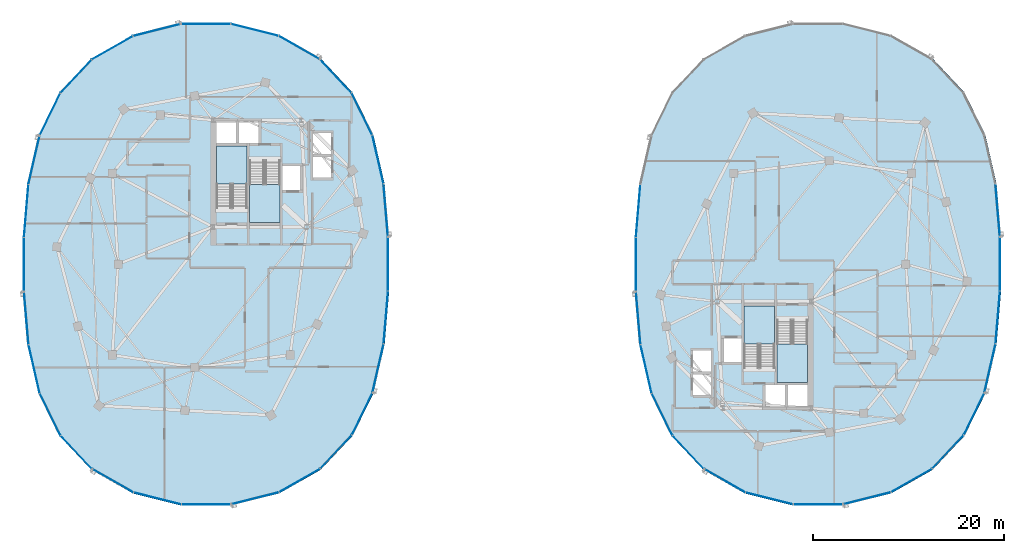
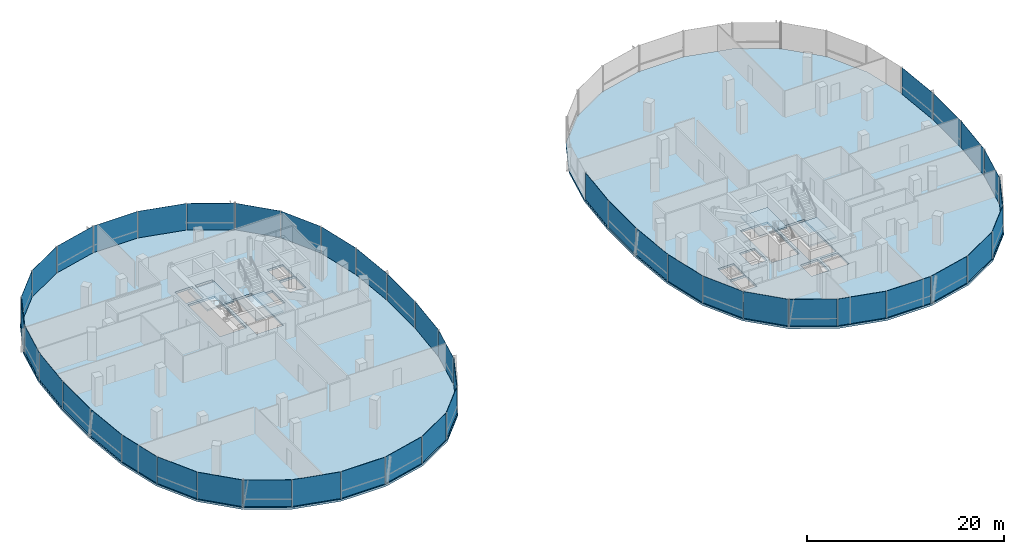
# One storey, part 13 of 25: 45 plates, 6 slabs, 12 elements without a shape of their own.
"""IFC4 building model written with IfcOpenShell, lengths in metres."""

import ifcopenshell
import ifcopenshell.guid

model = None  # the IFC model being written
_history = None  # IfcOwnerHistory: only IFC2X3 demands one
_inside = {}  # id of a spatial element -> (the spatial element, [elements in it])
_under = {}  # id of a project, library or spatial element -> (it, [spatial elements below it])
_declared = {}  # id of a project -> (the project, [libraries it declares])
_typed = {}  # id of a type object -> (the type object, [elements of that type])
_made_of = {}  # id of a material, layer set ... -> (it, [elements and type objects made of it])


def new_model(schema):
    """Start an empty IFC model of exactly this schema.

    Asked for "IFC4X3", IfcOpenShell would pick the latest addendum, in which some entities
    have other attributes; the version numbers below select the first issue.
    IFC2X3 requires an IfcOwnerHistory on every rooted entity: one is made here for all.
    """
    global model, _history
    if schema == "IFC4X3":
        model = ifcopenshell.file(schema_version=(4, 3, 0, 0))
    else:
        model = ifcopenshell.file(schema=schema)
    _inside.clear()
    _under.clear()
    _declared.clear()
    _typed.clear()
    _made_of.clear()
    _history = None
    if model.schema == "IFC2X3":
        org = make("IfcOrganization", Name="unknown")
        user = make(
            "IfcPersonAndOrganization",
            ThePerson=make("IfcPerson", FamilyName="unknown"),
            TheOrganization=org,
        )
        app = make(
            "IfcApplication",
            ApplicationDeveloper=org,
            Version="unknown",
            ApplicationFullName="unknown",
            ApplicationIdentifier="unknown",
        )
        _history = make(
            "IfcOwnerHistory",
            OwningUser=user,
            OwningApplication=app,
            ChangeAction="ADDED",
            CreationDate=0,
        )
    return model


def make(cls, **values):
    """One entity of the class cls with the attributes given. An attribute that is None is left unset."""
    return model.create_entity(
        cls, **{name: value for name, value in values.items() if value is not None}
    )


def rooted(cls, **values):
    """An entity with a GlobalId (a new one), such as an element, a storey or a relation."""
    return make(cls, GlobalId=ifcopenshell.guid.new(), OwnerHistory=_history, **values)


def si_unit(unit_type, name, prefix=None):
    """IfcSIUnit, for example si_unit("LENGTHUNIT", "METRE", prefix="MILLI")."""
    return make("IfcSIUnit", UnitType=unit_type, Prefix=prefix, Name=name)


def assignment(units):
    """IfcUnitAssignment: the units of a project."""
    return None if units is None else make("IfcUnitAssignment", Units=units)


def point(xyz):
    """IfcCartesianPoint."""
    return None if xyz is None else make("IfcCartesianPoint", Coordinates=xyz)


def direction(xyz):
    """IfcDirection."""
    return None if xyz is None else make("IfcDirection", DirectionRatios=xyz)


def frame(location, z_axis=None, x_axis=None):
    """IfcAxis2Placement3D, a coordinate frame: its origin and axes. An axis left out is left unset."""
    return make(
        "IfcAxis2Placement3D",
        Location=point(location),
        Axis=direction(z_axis),
        RefDirection=direction(x_axis),
    )


def frame_2d(location, x_axis=None):
    """IfcAxis2Placement2D, a coordinate frame in the plane: its origin and x axis."""
    return make(
        "IfcAxis2Placement2D", Location=point(location), RefDirection=direction(x_axis)
    )


def origin():
    """The frame at (0, 0, 0) with its axes left unset."""
    return frame((0.0, 0.0, 0.0))


def origin_2d():
    """The frame at (0, 0) in the plane with its x axis left unset."""
    return frame_2d((0.0, 0.0))


def place(relative_to, where):
    """IfcLocalPlacement: puts the frame where relative to a parent placement (None: the world)."""
    return make(
        "IfcLocalPlacement", PlacementRelTo=relative_to, RelativePlacement=where
    )


def context(
    kind, dimensions, precision=None, world=None, true_north=None, identifier=None
):
    """IfcGeometricRepresentationContext, for example the 3D "Model" context."""
    return make(
        "IfcGeometricRepresentationContext",
        ContextIdentifier=identifier,
        ContextType=kind,
        CoordinateSpaceDimension=dimensions,
        Precision=precision,
        WorldCoordinateSystem=world,
        TrueNorth=true_north,
    )


def subcontext(parent, identifier, kind, view, scale=None):
    """IfcGeometricRepresentationSubContext, for example "Body" below "Model"."""
    return make(
        "IfcGeometricRepresentationSubContext",
        ContextIdentifier=identifier,
        ContextType=kind,
        ParentContext=parent,
        TargetScale=scale,
        TargetView=view,
    )


def project(units=None, contexts=None):
    """IfcProject with its units and contexts."""
    return rooted(
        "IfcProject",
        Name="project",
        RepresentationContexts=contexts,
        UnitsInContext=assignment(units),
    )


def spatial(cls, under=None, at=None, **own):
    """A site, building, storey or space (cls), placed at a placement, below another one or the project."""
    s = rooted(cls, ObjectPlacement=at, **own)
    if under is not None:
        _under.setdefault(under.id(), (under, []))[1].append(s)
    return s


def polyline(points):
    """IfcPolyline through the points."""
    return make("IfcPolyline", Points=[point(p) for p in points])


def profile(cls, at=None, kind="AREA", **sizes):
    """A parametric profile (cls). Its sizes go by their IFC names, for example OverallWidth=200.0."""
    return make(cls, ProfileType=kind, Position=at, **sizes)


def rectangle(**sizes):
    """IfcRectangleProfileDef."""
    return profile("IfcRectangleProfileDef", **sizes)


def outline(outer, holes=None, kind="AREA"):
    """IfcArbitraryClosedProfileDef: a profile drawn as a closed curve; with holes, ...WithVoids."""
    if holes is None:
        return make("IfcArbitraryClosedProfileDef", ProfileType=kind, OuterCurve=outer)
    return make(
        "IfcArbitraryProfileDefWithVoids",
        ProfileType=kind,
        OuterCurve=outer,
        InnerCurves=holes,
    )


def extrude(swept, where, along, depth):
    """IfcExtrudedAreaSolid: the profile swept, set in the frame where, extruded along a direction by depth."""
    return make(
        "IfcExtrudedAreaSolid",
        SweptArea=swept,
        Position=where,
        ExtrudedDirection=direction(along),
        Depth=depth,
    )


def shape(context_of_items, identifier, shape_type, items):
    """IfcShapeRepresentation: the items that make up one representation, for example the "Body"."""
    return make(
        "IfcShapeRepresentation",
        ContextOfItems=context_of_items,
        RepresentationIdentifier=identifier,
        RepresentationType=shape_type,
        Items=items,
    )


def material(Name=None, Category=None):
    """IfcMaterial."""
    return make("IfcMaterial", Name=Name, Category=Category)


def layer(
    of_material, thickness, ventilated=None, Name=None, Category=None, Priority=None
):
    """IfcMaterialLayer: one layer of a wall or slab, of a material (None: an air gap)."""
    return make(
        "IfcMaterialLayer",
        Material=of_material,
        LayerThickness=thickness,
        IsVentilated=ventilated,
        Name=Name,
        Category=Category,
        Priority=Priority,
    )


def layer_set(layers, Name=None):
    """IfcMaterialLayerSet."""
    return make("IfcMaterialLayerSet", MaterialLayers=layers, LayerSetName=Name)


def made_of(thing, what):
    """Note that an element or type object is made of a material, layer set ...; save() writes the relation."""
    if what is not None:
        _made_of.setdefault(what.id(), (what, []))[1].append(thing)
    return thing


def type_object(cls, material=None, **own):
    """A type object (cls), such as IfcWallType, which elements share."""
    return made_of(rooted(cls, **own), material)


def element(
    cls,
    number,
    at=None,
    inside=None,
    cuts=None,
    type_object=None,
    material=None,
    context=None,
    identifier="Body",
    shape_type=None,
    held_by="IfcProductDefinitionShape",
    body=None,
    shapes=None,
    **own,
):
    """One element of the class cls, such as IfcWall. Its Tag is "e" and its number.

    at: its placement. inside: the storey or other place that contains it. cuts: it is an
    opening in that element (IfcRelVoidsElement). A single representation is given by context,
    identifier, shape_type and body (its items); several are given by shapes. held_by: the class
    of the entity that holds the representations. save() writes the other relations.
    """
    e = rooted(cls, Tag="e%d" % number, ObjectPlacement=at, **own)
    if body is not None:
        shapes = [shape(context, identifier, shape_type, body)]
    if shapes is not None:
        e.Representation = make(held_by, Representations=shapes)
    if inside is not None:
        _inside.setdefault(inside.id(), (inside, []))[1].append(e)
    if cuts is not None:
        rooted(
            "IfcRelVoidsElement", RelatingBuildingElement=cuts, RelatedOpeningElement=e
        )
    if type_object is not None:
        _typed.setdefault(type_object.id(), (type_object, []))[1].append(e)
    return made_of(e, material)


def aggregate(whole, parts):
    """IfcRelAggregates: a whole, such as a stair, and the parts it consists of."""
    return rooted("IfcRelAggregates", RelatingObject=whole, RelatedObjects=parts)


def save(model, path):
    """Write the relations noted so far, then the file.

    IfcRelAggregates (storeys below a building ...), IfcRelContainedInSpatialStructure (elements
    in a storey), IfcRelDefinesByType, IfcRelAssociatesMaterial and IfcRelDeclares: one each for
    every whole, place, type object, material and project.
    """
    for whole, parts in _under.values():
        aggregate(whole, parts)
    for where, things in _inside.values():
        rooted(
            "IfcRelContainedInSpatialStructure",
            RelatedElements=things,
            RelatingStructure=where,
        )
    for kind, things in _typed.values():
        rooted("IfcRelDefinesByType", RelatedObjects=things, RelatingType=kind)
    for what, things in _made_of.values():
        rooted("IfcRelAssociatesMaterial", RelatedObjects=things, RelatingMaterial=what)
    for by, libraries in _declared.values():
        rooted("IfcRelDeclares", RelatingContext=by, RelatedDefinitions=libraries)
    model.write(path)


model = new_model("IFC4")

# Units and contexts
model_context = context("Model", 3, precision=1e-05, world=origin(), true_north=direction((0.0, 1.0)))
body_context = subcontext(model_context, "Body", "Model", "MODEL_VIEW")
ifc_project = project(units=[si_unit("LENGTHUNIT", "METRE"), si_unit("AREAUNIT", "SQUARE_METRE"), si_unit("VOLUMEUNIT", "CUBIC_METRE"), si_unit("PLANEANGLEUNIT", "RADIAN"), si_unit("MASSUNIT", "GRAM", prefix="KILO"), si_unit("THERMODYNAMICTEMPERATUREUNIT", "KELVIN"), si_unit("POWERUNIT", "WATT")], contexts=[model_context])

# Site, building, storey
site_placement = place(None, origin())
site = spatial("IfcSite", under=ifc_project, at=site_placement, CompositionType="ELEMENT")
building_placement = place(site_placement, origin())
building = spatial("IfcBuilding", under=site, at=building_placement, Name="Cundina Bronze Exchange", CompositionType="ELEMENT")
storey_placement = place(building_placement, frame((0.0, 0.0, 213.39990234375)))
storey = spatial("IfcBuildingStorey", under=building, at=storey_placement, Name="L56", CompositionType="ELEMENT", Elevation=213.39990234375)

# Curtain wall, plates
ifc_material_1 = material(Name="Anodised Bronze Aluminium 6063-T6", Category="aluminium")
curtain_wall_type = type_object("IfcCurtainWallType", Name="CWS-UPP-OFF", PredefinedType="NOTDEFINED", material=ifc_material_1)
curtain_wall_1_placement = place(storey_placement, origin())
curtain_wall_1 = element("IfcCurtainWall", 1, at=curtain_wall_1_placement, inside=storey, type_object=curtain_wall_type, Name="L56 CW-05 Curtain Wall Run CWR-L56-W1", PredefinedType="NOTDEFINED")
ifc_material_2 = material(Name="Heat-Strengthened Solar-Control Bronze Safety Glass 28mm", Category="glass")
ifc_layer_1 = layer(ifc_material_2, 0.028076171875, Name="Heat-Strengthened Solar-Control Bronze Safety Glass 28mm", Category="glass")
ifc_layer_set_1 = layer_set([ifc_layer_1], Name="Heat-Strengthened Solar-Control Bronze Safety Glass 28mm")
plate_type_1 = type_object("IfcPlateType", Name="PLT-GLZ-VIS28", PredefinedType="CURTAIN_PANEL", material=ifc_layer_set_1)
plate_1_placement = place(storey_placement, frame((-13.198486328125, 5.60693359375, 0.02001953125), z_axis=(0.0, 0.0, 1.0), x_axis=(-0.083747411454, 0.996487015006, 0.0)))
plate_1 = element("IfcPlate", 2, at=plate_1_placement, type_object=plate_type_1, Name="CW-05 Glazed Panel 1", PredefinedType="CURTAIN_PANEL", context=body_context, shape_type="SweptSolid", body=[
    extrude(rectangle(XDim=5.474609375, YDim=0.028076171875, at=origin_2d()), origin(), (0.0, 0.0, 1.0), 3.300048828125),
])
plate_2_placement = place(storey_placement, frame((-14.01611328125, 10.92578125, 0.02001953125), z_axis=(0.0, 0.0, 1.0), x_axis=(-0.223284141459, 0.974753400698, 0.0)))
plate_2 = element("IfcPlate", 3, at=plate_2_placement, type_object=plate_type_1, Name="CW-05 Glazed Panel 2", PredefinedType="CURTAIN_PANEL", context=body_context, shape_type="SweptSolid", body=[
    extrude(rectangle(XDim=5.167724609375, YDim=0.028076171875, at=origin_2d()), origin(), (0.0, 0.0, 1.0), 3.300048828125),
])
plate_3_placement = place(storey_placement, frame((-15.685302734375, 15.686767578125, 0.02001953125), z_axis=(0.0, 0.0, 1.0), x_axis=(-0.440503330345, 0.897750976582, 0.0)))
plate_3 = element("IfcPlate", 4, at=plate_3_placement, type_object=plate_type_1, Name="CW-05 Glazed Panel 3", PredefinedType="CURTAIN_PANEL", context=body_context, shape_type="SweptSolid", body=[
    extrude(rectangle(XDim=4.863525390625, YDim=0.028076171875, at=origin_2d()), origin(), (0.0, 0.0, 1.0), 3.300048828125),
])
plate_4_placement = place(storey_placement, frame((-22.230712890625, 22.64111328125, 0.02001953125), z_axis=(0.0, 0.0, 1.0), x_axis=(-0.869572506985, 0.493805280547, 0.0)))
plate_4 = element("IfcPlate", 5, at=plate_4_placement, type_object=plate_type_1, Name="CW-05 Glazed Panel 5", PredefinedType="CURTAIN_PANEL", context=body_context, shape_type="SweptSolid", body=[
    extrude(rectangle(XDim=4.907958984375, YDim=0.028076171875, at=origin_2d()), origin(), (0.0, 0.0, 1.0), 3.300048828125),
])
plate_5_placement = place(storey_placement, frame((-26.88720703125, 24.49609375, 0.02001953125), z_axis=(0.0, 0.0, 1.0), x_axis=(-0.969731542251, 0.244173577528, 0.0)))
plate_5 = element("IfcPlate", 6, at=plate_5_placement, type_object=plate_type_1, Name="CW-05 Glazed Panel 6", PredefinedType="CURTAIN_PANEL", context=body_context, shape_type="SweptSolid", body=[
    extrude(rectangle(XDim=5.0908203125, YDim=0.028076171875, at=origin_2d()), origin(), (0.0, 0.0, 1.0), 3.300048828125),
])
plate_6_placement = place(storey_placement, frame((-32.0, 25.125, 0.02001953125), z_axis=(0.0, 0.0, 1.0), x_axis=(-1.0, 0.0, 0.0)))
plate_6 = element("IfcPlate", 7, at=plate_6_placement, type_object=plate_type_1, Name="CW-05 Glazed Panel 7", PredefinedType="CURTAIN_PANEL", context=body_context, shape_type="SweptSolid", body=[
    extrude(rectangle(XDim=5.16796875, YDim=0.028076171875, at=origin_2d()), origin(), (0.0, 0.0, 1.0), 3.300048828125),
])

curtain_wall_2_placement = place(storey_placement, origin())
curtain_wall_2 = element("IfcCurtainWall", 8, at=curtain_wall_2_placement, inside=storey, type_object=curtain_wall_type, Name="L56 CW-05 Curtain Wall Run CWR-L56-W2", PredefinedType="NOTDEFINED")
plate_7_placement = place(storey_placement, frame((-37.11279296875, 24.49609375, 0.02001953125), z_axis=(0.0, 0.0, 1.0), x_axis=(-0.969731542251, -0.244173577528, 0.0)))
plate_7 = element("IfcPlate", 9, at=plate_7_placement, type_object=plate_type_1, Name="CW-05 Glazed Panel 1", PredefinedType="CURTAIN_PANEL", context=body_context, shape_type="SweptSolid", body=[
    extrude(rectangle(XDim=5.0908203125, YDim=0.028076171875, at=origin_2d()), origin(), (0.0, 0.0, 1.0), 3.300048828125),
])
plate_8_placement = place(storey_placement, frame((-41.769287109375, 22.64111328125, 0.02001953125), z_axis=(0.0, 0.0, 1.0), x_axis=(-0.869572506985, -0.493805280547, 0.0)))
plate_8 = element("IfcPlate", 10, at=plate_8_placement, type_object=plate_type_1, Name="CW-05 Glazed Panel 2", PredefinedType="CURTAIN_PANEL", context=body_context, shape_type="SweptSolid", body=[
    extrude(rectangle(XDim=4.907958984375, YDim=0.028076171875, at=origin_2d()), origin(), (0.0, 0.0, 1.0), 3.300048828125),
])
plate_9_placement = place(storey_placement, frame((-48.314697265625, 15.686767578125, 0.02001953125), z_axis=(0.0, 0.0, 1.0), x_axis=(-0.440503330345, -0.897750976582, 0.0)))
plate_9 = element("IfcPlate", 11, at=plate_9_placement, type_object=plate_type_1, Name="CW-05 Glazed Panel 4", PredefinedType="CURTAIN_PANEL", context=body_context, shape_type="SweptSolid", body=[
    extrude(rectangle(XDim=4.863525390625, YDim=0.028076171875, at=origin_2d()), origin(), (0.0, 0.0, 1.0), 3.300048828125),
])
plate_10_placement = place(storey_placement, frame((-49.98388671875, 10.92578125, 0.02001953125), z_axis=(0.0, 0.0, 1.0), x_axis=(-0.223284141459, -0.974753400698, 0.0)))
plate_10 = element("IfcPlate", 12, at=plate_10_placement, type_object=plate_type_1, Name="CW-05 Glazed Panel 5", PredefinedType="CURTAIN_PANEL", context=body_context, shape_type="SweptSolid", body=[
    extrude(rectangle(XDim=5.167724609375, YDim=0.028076171875, at=origin_2d()), origin(), (0.0, 0.0, 1.0), 3.300048828125),
])
plate_11_placement = place(storey_placement, frame((-50.801513671875, 5.60693359375, 0.02001953125), z_axis=(0.0, 0.0, 1.0), x_axis=(-0.083747411454, -0.996487015006, 0.0)))
plate_11 = element("IfcPlate", 13, at=plate_11_placement, type_object=plate_type_1, Name="CW-05 Glazed Panel 6", PredefinedType="CURTAIN_PANEL", context=body_context, shape_type="SweptSolid", body=[
    extrude(rectangle(XDim=5.474609375, YDim=0.028076171875, at=origin_2d()), origin(), (0.0, 0.0, 1.0), 3.300048828125),
])
plate_12_placement = place(storey_placement, frame((-51.033935546875, 0.0, 0.02001953125), z_axis=(0.0, 0.0, 1.0), x_axis=(0.0, -1.0, 0.0)))
plate_12 = element("IfcPlate", 14, at=plate_12_placement, type_object=plate_type_1, Name="CW-05 Glazed Panel 7", PredefinedType="CURTAIN_PANEL", context=body_context, shape_type="SweptSolid", body=[
    extrude(rectangle(XDim=5.597900390625, YDim=0.028076171875, at=origin_2d()), origin(), (0.0, 0.0, 1.0), 3.300048828125),
])

curtain_wall_3_placement = place(storey_placement, origin())
curtain_wall_3 = element("IfcCurtainWall", 15, at=curtain_wall_3_placement, inside=storey, type_object=curtain_wall_type, Name="L56 CW-05 Curtain Wall Run CWR-L56-W3", PredefinedType="NOTDEFINED")
plate_13_placement = place(storey_placement, frame((-50.801513671875, -5.60693359375, 0.02001953125), z_axis=(0.0, 0.0, 1.0), x_axis=(0.083747411454, -0.996487015006, 0.0)))
plate_13 = element("IfcPlate", 16, at=plate_13_placement, type_object=plate_type_1, Name="CW-05 Glazed Panel 1", PredefinedType="CURTAIN_PANEL", context=body_context, shape_type="SweptSolid", body=[
    extrude(rectangle(XDim=5.474609375, YDim=0.028076171875, at=origin_2d()), origin(), (0.0, 0.0, 1.0), 3.300048828125),
])
plate_14_placement = place(storey_placement, frame((-48.314697265625, -15.686767578125, 0.02001953125), z_axis=(0.0, 0.0, 1.0), x_axis=(0.440503330345, -0.897750976582, 0.0)))
plate_14 = element("IfcPlate", 17, at=plate_14_placement, type_object=plate_type_1, Name="CW-05 Glazed Panel 3", PredefinedType="CURTAIN_PANEL", context=body_context, shape_type="SweptSolid", body=[
    extrude(rectangle(XDim=4.863525390625, YDim=0.028076171875, at=origin_2d()), origin(), (0.0, 0.0, 1.0), 3.300048828125),
])
plate_15_placement = place(storey_placement, frame((-45.5791015625, -19.6552734375, 0.02001953125), z_axis=(0.0, 0.0, 1.0), x_axis=(0.684343512797, -0.72915976061, 0.0)))
plate_15 = element("IfcPlate", 18, at=plate_15_placement, type_object=plate_type_1, Name="CW-05 Glazed Panel 4", PredefinedType="CURTAIN_PANEL", context=body_context, shape_type="SweptSolid", body=[
    extrude(rectangle(XDim=4.773193359375, YDim=0.028076171875, at=origin_2d()), origin(), (0.0, 0.0, 1.0), 3.300048828125),
])
plate_16_placement = place(storey_placement, frame((-41.769287109375, -22.64111328125, 0.02001953125), z_axis=(0.0, 0.0, 1.0), x_axis=(0.869572506985, -0.493805280547, 0.0)))
plate_16 = element("IfcPlate", 19, at=plate_16_placement, type_object=plate_type_1, Name="CW-05 Glazed Panel 5", PredefinedType="CURTAIN_PANEL", context=body_context, shape_type="SweptSolid", body=[
    extrude(rectangle(XDim=4.907958984375, YDim=0.028076171875, at=origin_2d()), origin(), (0.0, 0.0, 1.0), 3.300048828125),
])
plate_17_placement = place(storey_placement, frame((-37.11279296875, -24.49609375, 0.02001953125), z_axis=(0.0, 0.0, 1.0), x_axis=(0.969731542251, -0.244173577528, 0.0)))
plate_17 = element("IfcPlate", 20, at=plate_17_placement, type_object=plate_type_1, Name="CW-05 Glazed Panel 6", PredefinedType="CURTAIN_PANEL", context=body_context, shape_type="SweptSolid", body=[
    extrude(rectangle(XDim=5.0908203125, YDim=0.028076171875, at=origin_2d()), origin(), (0.0, 0.0, 1.0), 3.300048828125),
])

curtain_wall_4_placement = place(storey_placement, origin())
curtain_wall_4 = element("IfcCurtainWall", 21, at=curtain_wall_4_placement, inside=storey, type_object=curtain_wall_type, Name="L56 CW-05 Curtain Wall Run CWR-L56-W4", PredefinedType="NOTDEFINED")
plate_18_placement = place(storey_placement, frame((-22.230712890625, -22.64111328125, 0.02001953125), z_axis=(0.0, 0.0, 1.0), x_axis=(0.869572506985, 0.493805280547, 0.0)))
plate_18 = element("IfcPlate", 22, at=plate_18_placement, type_object=plate_type_1, Name="CW-05 Glazed Panel 2", PredefinedType="CURTAIN_PANEL", context=body_context, shape_type="SweptSolid", body=[
    extrude(rectangle(XDim=4.907958984375, YDim=0.028076171875, at=origin_2d()), origin(), (0.0, 0.0, 1.0), 3.300048828125),
])
plate_19_placement = place(storey_placement, frame((-18.4208984375, -19.6552734375, 0.02001953125), z_axis=(0.0, 0.0, 1.0), x_axis=(0.684343512797, 0.72915976061, 0.0)))
plate_19 = element("IfcPlate", 23, at=plate_19_placement, type_object=plate_type_1, Name="CW-05 Glazed Panel 3", PredefinedType="CURTAIN_PANEL", context=body_context, shape_type="SweptSolid", body=[
    extrude(rectangle(XDim=4.773193359375, YDim=0.028076171875, at=origin_2d()), origin(), (0.0, 0.0, 1.0), 3.300048828125),
])
plate_20_placement = place(storey_placement, frame((-15.685302734375, -15.686767578125, 0.02001953125), z_axis=(0.0, 0.0, 1.0), x_axis=(0.440503330345, 0.897750976582, 0.0)))
plate_20 = element("IfcPlate", 24, at=plate_20_placement, type_object=plate_type_1, Name="CW-05 Glazed Panel 4", PredefinedType="CURTAIN_PANEL", context=body_context, shape_type="SweptSolid", body=[
    extrude(rectangle(XDim=4.863525390625, YDim=0.028076171875, at=origin_2d()), origin(), (0.0, 0.0, 1.0), 3.300048828125),
])
plate_21_placement = place(storey_placement, frame((-14.01611328125, -10.92578125, 0.02001953125), z_axis=(0.0, 0.0, 1.0), x_axis=(0.223284141459, 0.974753400698, 0.0)))
plate_21 = element("IfcPlate", 25, at=plate_21_placement, type_object=plate_type_1, Name="CW-05 Glazed Panel 5", PredefinedType="CURTAIN_PANEL", context=body_context, shape_type="SweptSolid", body=[
    extrude(rectangle(XDim=5.167724609375, YDim=0.028076171875, at=origin_2d()), origin(), (0.0, 0.0, 1.0), 3.300048828125),
])
plate_22_placement = place(storey_placement, frame((-12.966064453125, 0.0, 0.02001953125), z_axis=(0.0, 0.0, 1.0), x_axis=(0.0, 1.0, 0.0)))
plate_22 = element("IfcPlate", 26, at=plate_22_placement, type_object=plate_type_1, Name="CW-05 Glazed Panel 7", PredefinedType="CURTAIN_PANEL", context=body_context, shape_type="SweptSolid", body=[
    extrude(rectangle(XDim=5.597900390625, YDim=0.028076171875, at=origin_2d()), origin(), (0.0, 0.0, 1.0), 3.300048828125),
])

# Curtain wall, plate
curtain_wall_5_placement = place(storey_placement, origin())
curtain_wall_5 = element("IfcCurtainWall", 27, at=curtain_wall_5_placement, inside=storey, type_object=curtain_wall_type, Name="L56 CW-05 Curtain Wall Run CWR-L56-E1", PredefinedType="NOTDEFINED")
plate_23_placement = place(storey_placement, frame((50.801513671875, 5.60693359375, 0.02001953125), z_axis=(0.0, 0.0, 1.0), x_axis=(-0.083747411454, 0.996487015006, 0.0)))
plate_23 = element("IfcPlate", 28, at=plate_23_placement, type_object=plate_type_1, Name="CW-05 Glazed Panel 1", PredefinedType="CURTAIN_PANEL", context=body_context, shape_type="SweptSolid", body=[
    extrude(rectangle(XDim=5.474609375, YDim=0.028076171875, at=origin_2d()), origin(), (0.0, 0.0, 1.0), 3.300048828125),
])
aggregate(curtain_wall_5, [plate_23])

# Curtain wall, plates
curtain_wall_6_placement = place(storey_placement, origin())
curtain_wall_6 = element("IfcCurtainWall", 29, at=curtain_wall_6_placement, inside=storey, type_object=curtain_wall_type, Name="L56 CW-05 Curtain Wall Run CWR-L56-E2", PredefinedType="NOTDEFINED")
plate_24_placement = place(storey_placement, frame((13.198486328125, 5.60693359375, 0.02001953125), z_axis=(0.0, 0.0, 1.0), x_axis=(-0.083747411454, -0.996487015006, 0.0)))
plate_24 = element("IfcPlate", 30, at=plate_24_placement, type_object=plate_type_1, Name="CW-05 Glazed Panel 6", PredefinedType="CURTAIN_PANEL", context=body_context, shape_type="SweptSolid", body=[
    extrude(rectangle(XDim=5.474609375, YDim=0.028076171875, at=origin_2d()), origin(), (0.0, 0.0, 1.0), 3.300048828125),
])
plate_25_placement = place(storey_placement, frame((12.966064453125, 0.0, 0.02001953125), z_axis=(0.0, 0.0, 1.0), x_axis=(0.0, -1.0, 0.0)))
plate_25 = element("IfcPlate", 31, at=plate_25_placement, type_object=plate_type_1, Name="CW-05 Glazed Panel 7", PredefinedType="CURTAIN_PANEL", context=body_context, shape_type="SweptSolid", body=[
    extrude(rectangle(XDim=5.597900390625, YDim=0.028076171875, at=origin_2d()), origin(), (0.0, 0.0, 1.0), 3.300048828125),
])
aggregate(curtain_wall_6, [plate_24, plate_25])

curtain_wall_7_placement = place(storey_placement, origin())
curtain_wall_7 = element("IfcCurtainWall", 32, at=curtain_wall_7_placement, inside=storey, type_object=curtain_wall_type, Name="L56 CW-05 Curtain Wall Run CWR-L56-E3", PredefinedType="NOTDEFINED")
plate_26_placement = place(storey_placement, frame((13.198486328125, -5.60693359375, 0.02001953125), z_axis=(0.0, 0.0, 1.0), x_axis=(0.083747411454, -0.996487015006, 0.0)))
plate_26 = element("IfcPlate", 33, at=plate_26_placement, type_object=plate_type_1, Name="CW-05 Glazed Panel 1", PredefinedType="CURTAIN_PANEL", context=body_context, shape_type="SweptSolid", body=[
    extrude(rectangle(XDim=5.474609375, YDim=0.028076171875, at=origin_2d()), origin(), (0.0, 0.0, 1.0), 3.300048828125),
])
plate_27_placement = place(storey_placement, frame((15.685302734375, -15.686767578125, 0.02001953125), z_axis=(0.0, 0.0, 1.0), x_axis=(0.440503330345, -0.897750976582, 0.0)))
plate_27 = element("IfcPlate", 34, at=plate_27_placement, type_object=plate_type_1, Name="CW-05 Glazed Panel 3", PredefinedType="CURTAIN_PANEL", context=body_context, shape_type="SweptSolid", body=[
    extrude(rectangle(XDim=4.863525390625, YDim=0.028076171875, at=origin_2d()), origin(), (0.0, 0.0, 1.0), 3.300048828125),
])
plate_28_placement = place(storey_placement, frame((18.4208984375, -19.6552734375, 0.02001953125), z_axis=(0.0, 0.0, 1.0), x_axis=(0.684343512797, -0.72915976061, 0.0)))
plate_28 = element("IfcPlate", 35, at=plate_28_placement, type_object=plate_type_1, Name="CW-05 Glazed Panel 4", PredefinedType="CURTAIN_PANEL", context=body_context, shape_type="SweptSolid", body=[
    extrude(rectangle(XDim=4.773193359375, YDim=0.028076171875, at=origin_2d()), origin(), (0.0, 0.0, 1.0), 3.300048828125),
])
plate_29_placement = place(storey_placement, frame((22.230712890625, -22.64111328125, 0.02001953125), z_axis=(0.0, 0.0, 1.0), x_axis=(0.869572506985, -0.493805280547, 0.0)))
plate_29 = element("IfcPlate", 36, at=plate_29_placement, type_object=plate_type_1, Name="CW-05 Glazed Panel 5", PredefinedType="CURTAIN_PANEL", context=body_context, shape_type="SweptSolid", body=[
    extrude(rectangle(XDim=4.907958984375, YDim=0.028076171875, at=origin_2d()), origin(), (0.0, 0.0, 1.0), 3.300048828125),
])
plate_30_placement = place(storey_placement, frame((26.88720703125, -24.49609375, 0.02001953125), z_axis=(0.0, 0.0, 1.0), x_axis=(0.969731542251, -0.244173577528, 0.0)))
plate_30 = element("IfcPlate", 37, at=plate_30_placement, type_object=plate_type_1, Name="CW-05 Glazed Panel 6", PredefinedType="CURTAIN_PANEL", context=body_context, shape_type="SweptSolid", body=[
    extrude(rectangle(XDim=5.0908203125, YDim=0.028076171875, at=origin_2d()), origin(), (0.0, 0.0, 1.0), 3.300048828125),
])

curtain_wall_8_placement = place(storey_placement, origin())
curtain_wall_8 = element("IfcCurtainWall", 38, at=curtain_wall_8_placement, inside=storey, type_object=curtain_wall_type, Name="L56 CW-05 Curtain Wall Run CWR-L56-E4", PredefinedType="NOTDEFINED")
plate_31_placement = place(storey_placement, frame((41.769287109375, -22.64111328125, 0.02001953125), z_axis=(0.0, 0.0, 1.0), x_axis=(0.869572506985, 0.493805280547, 0.0)))
plate_31 = element("IfcPlate", 39, at=plate_31_placement, type_object=plate_type_1, Name="CW-05 Glazed Panel 2", PredefinedType="CURTAIN_PANEL", context=body_context, shape_type="SweptSolid", body=[
    extrude(rectangle(XDim=4.907958984375, YDim=0.028076171875, at=origin_2d()), origin(), (0.0, 0.0, 1.0), 3.300048828125),
])
plate_32_placement = place(storey_placement, frame((45.5791015625, -19.6552734375, 0.02001953125), z_axis=(0.0, 0.0, 1.0), x_axis=(0.684343512797, 0.72915976061, 0.0)))
plate_32 = element("IfcPlate", 40, at=plate_32_placement, type_object=plate_type_1, Name="CW-05 Glazed Panel 3", PredefinedType="CURTAIN_PANEL", context=body_context, shape_type="SweptSolid", body=[
    extrude(rectangle(XDim=4.773193359375, YDim=0.028076171875, at=origin_2d()), origin(), (0.0, 0.0, 1.0), 3.300048828125),
])
plate_33_placement = place(storey_placement, frame((48.314697265625, -15.686767578125, 0.02001953125), z_axis=(0.0, 0.0, 1.0), x_axis=(0.440503330345, 0.897750976582, 0.0)))
plate_33 = element("IfcPlate", 41, at=plate_33_placement, type_object=plate_type_1, Name="CW-05 Glazed Panel 4", PredefinedType="CURTAIN_PANEL", context=body_context, shape_type="SweptSolid", body=[
    extrude(rectangle(XDim=4.863525390625, YDim=0.028076171875, at=origin_2d()), origin(), (0.0, 0.0, 1.0), 3.300048828125),
])
plate_34_placement = place(storey_placement, frame((49.98388671875, -10.92578125, 0.02001953125), z_axis=(0.0, 0.0, 1.0), x_axis=(0.223284141459, 0.974753400698, 0.0)))
plate_34 = element("IfcPlate", 42, at=plate_34_placement, type_object=plate_type_1, Name="CW-05 Glazed Panel 5", PredefinedType="CURTAIN_PANEL", context=body_context, shape_type="SweptSolid", body=[
    extrude(rectangle(XDim=5.167724609375, YDim=0.028076171875, at=origin_2d()), origin(), (0.0, 0.0, 1.0), 3.300048828125),
])
plate_35_placement = place(storey_placement, frame((51.033935546875, 0.0, 0.02001953125), z_axis=(0.0, 0.0, 1.0), x_axis=(0.0, 1.0, 0.0)))
plate_35 = element("IfcPlate", 43, at=plate_35_placement, type_object=plate_type_1, Name="CW-05 Glazed Panel 7", PredefinedType="CURTAIN_PANEL", context=body_context, shape_type="SweptSolid", body=[
    extrude(rectangle(XDim=5.597900390625, YDim=0.028076171875, at=origin_2d()), origin(), (0.0, 0.0, 1.0), 3.300048828125),
])

# Plate
ifc_material_3 = material(Name="Dark Bronze Spandrel Glass Panel 32mm", Category="glass")
ifc_layer_2 = layer(ifc_material_3, 0.031982421875, Name="Dark Bronze Spandrel Glass Panel 32mm", Category="glass")
ifc_layer_set_2 = layer_set([ifc_layer_2], Name="Dark Bronze Spandrel Glass Panel 32mm")
plate_type_2 = type_object("IfcPlateType", Name="PLT-SPN-BRZ32", PredefinedType="CURTAIN_PANEL", material=ifc_layer_set_2)
plate_36_placement = place(storey_placement, frame((-18.4208984375, 19.6552734375, 0.02001953125), z_axis=(0.0, 0.0, 1.0), x_axis=(-0.684343512797, 0.72915976061, 0.0)))
plate_36 = element("IfcPlate", 44, at=plate_36_placement, type_object=plate_type_2, Name="CW-05 Glazed Panel 4", PredefinedType="CURTAIN_PANEL", context=body_context, shape_type="SweptSolid", body=[
    extrude(rectangle(XDim=4.773193359375, YDim=0.031982421875, at=origin_2d()), origin(), (0.0, 0.0, 1.0), 3.300048828125),
])

aggregate(curtain_wall_1, [plate_1, plate_2, plate_3, plate_36, plate_4, plate_5, plate_6])

plate_37_placement = place(storey_placement, frame((-45.5791015625, 19.6552734375, 0.02001953125), z_axis=(0.0, 0.0, 1.0), x_axis=(-0.684343512797, -0.72915976061, 0.0)))
plate_37 = element("IfcPlate", 45, at=plate_37_placement, type_object=plate_type_2, Name="CW-05 Glazed Panel 3", PredefinedType="CURTAIN_PANEL", context=body_context, shape_type="SweptSolid", body=[
    extrude(rectangle(XDim=4.773193359375, YDim=0.031982421875, at=origin_2d()), origin(), (0.0, 0.0, 1.0), 3.300048828125),
])

aggregate(curtain_wall_2, [plate_7, plate_8, plate_37, plate_9, plate_10, plate_11, plate_12])

plate_38_placement = place(storey_placement, frame((-49.98388671875, -10.92578125, 0.02001953125), z_axis=(0.0, 0.0, 1.0), x_axis=(0.223284141459, -0.974753400698, 0.0)))
plate_38 = element("IfcPlate", 46, at=plate_38_placement, type_object=plate_type_2, Name="CW-05 Glazed Panel 2", PredefinedType="CURTAIN_PANEL", context=body_context, shape_type="SweptSolid", body=[
    extrude(rectangle(XDim=5.167724609375, YDim=0.031982421875, at=origin_2d()), origin(), (0.0, 0.0, 1.0), 3.300048828125),
])

plate_39_placement = place(storey_placement, frame((-32.0, -25.125, 0.02001953125), z_axis=(0.0, 0.0, 1.0), x_axis=(1.0, 0.0, 0.0)))
plate_39 = element("IfcPlate", 47, at=plate_39_placement, type_object=plate_type_2, Name="CW-05 Glazed Panel 7", PredefinedType="CURTAIN_PANEL", context=body_context, shape_type="SweptSolid", body=[
    extrude(rectangle(XDim=5.16796875, YDim=0.031982421875, at=origin_2d()), origin(), (0.0, 0.0, 1.0), 3.300048828125),
])

aggregate(curtain_wall_3, [plate_13, plate_38, plate_14, plate_15, plate_16, plate_17, plate_39])

plate_40_placement = place(storey_placement, frame((-26.88720703125, -24.49609375, 0.02001953125), z_axis=(0.0, 0.0, 1.0), x_axis=(0.969731542251, 0.244173577528, 0.0)))
plate_40 = element("IfcPlate", 48, at=plate_40_placement, type_object=plate_type_2, Name="CW-05 Glazed Panel 1", PredefinedType="CURTAIN_PANEL", context=body_context, shape_type="SweptSolid", body=[
    extrude(rectangle(XDim=5.0908203125, YDim=0.031982421875, at=origin_2d()), origin(), (0.0, 0.0, 1.0), 3.300048828125),
])

plate_41_placement = place(storey_placement, frame((-13.198486328125, -5.60693359375, 0.02001953125), z_axis=(0.0, 0.0, 1.0), x_axis=(0.083747411454, 0.996487015006, 0.0)))
plate_41 = element("IfcPlate", 49, at=plate_41_placement, type_object=plate_type_2, Name="CW-05 Glazed Panel 6", PredefinedType="CURTAIN_PANEL", context=body_context, shape_type="SweptSolid", body=[
    extrude(rectangle(XDim=5.474609375, YDim=0.031982421875, at=origin_2d()), origin(), (0.0, 0.0, 1.0), 3.300048828125),
])

aggregate(curtain_wall_4, [plate_40, plate_18, plate_19, plate_20, plate_21, plate_41, plate_22])

plate_42_placement = place(storey_placement, frame((14.01611328125, -10.92578125, 0.02001953125), z_axis=(0.0, 0.0, 1.0), x_axis=(0.223284141459, -0.974753400698, 0.0)))
plate_42 = element("IfcPlate", 50, at=plate_42_placement, type_object=plate_type_2, Name="CW-05 Glazed Panel 2", PredefinedType="CURTAIN_PANEL", context=body_context, shape_type="SweptSolid", body=[
    extrude(rectangle(XDim=5.167724609375, YDim=0.031982421875, at=origin_2d()), origin(), (0.0, 0.0, 1.0), 3.300048828125),
])

plate_43_placement = place(storey_placement, frame((32.0, -25.125, 0.02001953125), z_axis=(0.0, 0.0, 1.0), x_axis=(1.0, 0.0, 0.0)))
plate_43 = element("IfcPlate", 51, at=plate_43_placement, type_object=plate_type_2, Name="CW-05 Glazed Panel 7", PredefinedType="CURTAIN_PANEL", context=body_context, shape_type="SweptSolid", body=[
    extrude(rectangle(XDim=5.16796875, YDim=0.031982421875, at=origin_2d()), origin(), (0.0, 0.0, 1.0), 3.300048828125),
])

aggregate(curtain_wall_7, [plate_26, plate_42, plate_27, plate_28, plate_29, plate_30, plate_43])

plate_44_placement = place(storey_placement, frame((37.11279296875, -24.49609375, 0.02001953125), z_axis=(0.0, 0.0, 1.0), x_axis=(0.969731542251, 0.244173577528, 0.0)))
plate_44 = element("IfcPlate", 52, at=plate_44_placement, type_object=plate_type_2, Name="CW-05 Glazed Panel 1", PredefinedType="CURTAIN_PANEL", context=body_context, shape_type="SweptSolid", body=[
    extrude(rectangle(XDim=5.0908203125, YDim=0.031982421875, at=origin_2d()), origin(), (0.0, 0.0, 1.0), 3.300048828125),
])

plate_45_placement = place(storey_placement, frame((50.801513671875, -5.60693359375, 0.02001953125), z_axis=(0.0, 0.0, 1.0), x_axis=(0.083747411454, 0.996487015006, 0.0)))
plate_45 = element("IfcPlate", 53, at=plate_45_placement, type_object=plate_type_2, Name="CW-05 Glazed Panel 6", PredefinedType="CURTAIN_PANEL", context=body_context, shape_type="SweptSolid", body=[
    extrude(rectangle(XDim=5.474609375, YDim=0.031982421875, at=origin_2d()), origin(), (0.0, 0.0, 1.0), 3.300048828125),
])

aggregate(curtain_wall_8, [plate_44, plate_31, plate_32, plate_33, plate_34, plate_45, plate_35])

# Stair, slab
ifc_material_4 = material(Name="Concrete C40/50", Category="concrete")
stair_type = type_object("IfcStairType", Name="STR-OFF-360", PredefinedType="HALF_TURN_STAIR", material=ifc_material_4)
stair_1_placement = place(storey_placement, origin())
stair_1 = element("IfcStair", 54, at=stair_1_placement, inside=storey, type_object=stair_type, Name="L56 Smokeproof Exit Stair W1", PredefinedType="HALF_TURN_STAIR")
ifc_layer_3 = layer(ifc_material_4, 0.199951171875, Name="Concrete C40/50", Category="concrete")
ifc_layer_set_3 = layer_set([ifc_layer_3], Name="Concrete C40/50")
slab_type_1 = type_object("IfcSlabType", Name="SLB-LND-200", PredefinedType="LANDING", material=ifc_layer_set_3)
slab_1_placement = place(storey_placement, frame((0.0, 0.0, 1.60009765625)))
slab_1 = element("IfcSlab", 55, at=slab_1_placement, type_object=slab_type_1, Name="ST-W1 landing 1", PredefinedType="LANDING", context=body_context, shape_type="SweptSolid", body=[
    extrude(outline(polyline([(-27.739990234375, 8.3701171875), (-27.739990234375, 12.35009765625), (-30.89990234375, 12.35009765625), (-30.89990234375, 8.3701171875), (-27.739990234375, 8.3701171875)])), origin(), (0.0, 0.0, 1.0), 0.199951171875),
])
aggregate(stair_1, [slab_1])

stair_2_placement = place(storey_placement, origin())
stair_2 = element("IfcStair", 56, at=stair_2_placement, inside=storey, type_object=stair_type, Name="L56 Smokeproof Exit Stair W2", PredefinedType="HALF_TURN_STAIR")
slab_2_placement = place(storey_placement, frame((0.0, 0.0, 1.60009765625)))
slab_2 = element("IfcSlab", 57, at=slab_2_placement, type_object=slab_type_1, Name="ST-W2 landing 1", PredefinedType="LANDING", context=body_context, shape_type="SweptSolid", body=[
    extrude(outline(polyline([(-27.43994140625, 8.330078125), (-27.43994140625, 4.35009765625), (-24.280029296875, 4.35009765625), (-24.280029296875, 8.330078125), (-27.43994140625, 8.330078125)])), origin(), (0.0, 0.0, 1.0), 0.199951171875),
])
aggregate(stair_2, [slab_2])

stair_3_placement = place(storey_placement, origin())
stair_3 = element("IfcStair", 58, at=stair_3_placement, inside=storey, type_object=stair_type, Name="L56 Smokeproof Exit Stair E1", PredefinedType="HALF_TURN_STAIR")
slab_3_placement = place(storey_placement, frame((0.0, 0.0, 1.60009765625)))
slab_3 = element("IfcSlab", 59, at=slab_3_placement, type_object=slab_type_1, Name="ST-E1 landing 1", PredefinedType="LANDING", context=body_context, shape_type="SweptSolid", body=[
    extrude(outline(polyline([(27.739990234375, -8.3701171875), (27.739990234375, -12.35009765625), (30.89990234375, -12.35009765625), (30.89990234375, -8.3701171875), (27.739990234375, -8.3701171875)])), origin(), (0.0, 0.0, 1.0), 0.199951171875),
])
aggregate(stair_3, [slab_3])

stair_4_placement = place(storey_placement, origin())
stair_4 = element("IfcStair", 60, at=stair_4_placement, inside=storey, type_object=stair_type, Name="L56 Smokeproof Exit Stair E2", PredefinedType="HALF_TURN_STAIR")
slab_4_placement = place(storey_placement, frame((0.0, 0.0, 1.60009765625)))
slab_4 = element("IfcSlab", 61, at=slab_4_placement, type_object=slab_type_1, Name="ST-E2 landing 1", PredefinedType="LANDING", context=body_context, shape_type="SweptSolid", body=[
    extrude(outline(polyline([(27.43994140625, -8.330078125), (27.43994140625, -4.35009765625), (24.280029296875, -4.35009765625), (24.280029296875, -8.330078125), (27.43994140625, -8.330078125)])), origin(), (0.0, 0.0, 1.0), 0.199951171875),
])
aggregate(stair_4, [slab_4])

# Slabs
ifc_material_5 = material(Name="Concrete C50/60", Category="concrete")
ifc_layer_4 = layer(ifc_material_5, 0.260009765625, Name="Concrete C50/60", Category="concrete")
ifc_layer_set_4 = layer_set([ifc_layer_4], Name="Concrete C50/60")
slab_type_2 = type_object("IfcSlabType", Name="SLB-OFF-260", PredefinedType="FLOOR", material=ifc_layer_set_4)
slab_5_placement = place(storey_placement, frame((0.0, 0.0, -0.260009765625)))
element("IfcSlab", 62, at=slab_5_placement, inside=storey, type_object=slab_type_2, Name="L56 Leg W Structural Floor Slab", PredefinedType="FLOOR", context=body_context, shape_type="SweptSolid", body=[
    extrude(outline(polyline([(-12.85107421875, 2.843994140625), (-13.31689453125, 8.388916015625), (-14.490966796875, 13.513916015625), (-16.673095703125, 17.9609375), (-20.0009765625, 21.507080078125), (-24.346923828125, 23.97509765625), (-29.37109375, 25.239990234375), (-34.62890625, 25.239990234375), (-39.653076171875, 23.97509765625), (-43.9990234375, 21.507080078125), (-47.326904296875, 17.9609375), (-49.509033203125, 13.513916015625), (-50.68310546875, 8.388916015625), (-51.14892578125, 2.843994140625), (-51.14892578125, -2.843994140625), (-50.68310546875, -8.388916015625), (-49.509033203125, -13.513916015625), (-47.326904296875, -17.9609375), (-43.9990234375, -21.507080078125), (-39.653076171875, -23.97509765625), (-34.62890625, -25.239990234375), (-29.37109375, -25.239990234375), (-24.346923828125, -23.97509765625), (-20.0009765625, -21.507080078125), (-16.673095703125, -17.9609375), (-14.490966796875, -13.513916015625), (-13.31689453125, -8.388916015625), (-12.85107421875, -2.843994140625), (-12.85107421875, 2.843994140625)]), holes=[polyline([(-27.739990234375, 5.85009765625), (-27.739990234375, 12.35009765625), (-30.89990234375, 12.35009765625), (-30.89990234375, 5.85009765625), (-27.739990234375, 5.85009765625)]), polyline([(-27.43994140625, 10.85009765625), (-27.43994140625, 4.35009765625), (-24.280029296875, 4.35009765625), (-24.280029296875, 10.85009765625), (-27.43994140625, 10.85009765625)]), polyline([(-23.97998046875, 10.25), (-22.179931640625, 10.25), (-22.179931640625, 7.75), (-23.97998046875, 7.75), (-23.97998046875, 10.25)]), polyline([(-30.89990234375, 14.949951171875), (-28.85009765625, 14.949951171875), (-28.85009765625, 12.64990234375), (-30.89990234375, 12.64990234375), (-30.89990234375, 14.949951171875)]), polyline([(-28.550048828125, 14.949951171875), (-26.5, 14.949951171875), (-26.5, 12.64990234375), (-28.550048828125, 12.64990234375), (-28.550048828125, 14.949951171875)]), polyline([(-20.800048828125, 13.699951171875), (-18.949951171875, 13.699951171875), (-18.949951171875, 11.449951171875), (-20.800048828125, 11.449951171875), (-20.800048828125, 13.699951171875)]), polyline([(-20.800048828125, 11.300048828125), (-18.949951171875, 11.300048828125), (-18.949951171875, 9.050048828125), (-20.800048828125, 9.050048828125), (-20.800048828125, 11.300048828125)])]), origin(), (0.0, 0.0, 1.0), 0.260009765625),
])
slab_6_placement = place(storey_placement, frame((0.0, 0.0, -0.260009765625)))
element("IfcSlab", 63, at=slab_6_placement, inside=storey, type_object=slab_type_2, Name="L56 Leg E Structural Floor Slab", PredefinedType="FLOOR", context=body_context, shape_type="SweptSolid", body=[
    extrude(outline(polyline([(51.14892578125, 2.843994140625), (50.68310546875, 8.388916015625), (49.509033203125, 13.513916015625), (47.326904296875, 17.9609375), (43.9990234375, 21.507080078125), (39.653076171875, 23.97509765625), (34.62890625, 25.239990234375), (29.37109375, 25.239990234375), (24.346923828125, 23.97509765625), (20.0009765625, 21.507080078125), (16.673095703125, 17.9609375), (14.490966796875, 13.513916015625), (13.31689453125, 8.388916015625), (12.85107421875, 2.843994140625), (12.85107421875, -2.843994140625), (13.31689453125, -8.388916015625), (14.490966796875, -13.513916015625), (16.673095703125, -17.9609375), (20.0009765625, -21.507080078125), (24.346923828125, -23.97509765625), (29.37109375, -25.239990234375), (34.62890625, -25.239990234375), (39.653076171875, -23.97509765625), (43.9990234375, -21.507080078125), (47.326904296875, -17.9609375), (49.509033203125, -13.513916015625), (50.68310546875, -8.388916015625), (51.14892578125, -2.843994140625), (51.14892578125, 2.843994140625)]), holes=[polyline([(27.739990234375, -5.85009765625), (27.739990234375, -12.35009765625), (30.89990234375, -12.35009765625), (30.89990234375, -5.85009765625), (27.739990234375, -5.85009765625)]), polyline([(27.43994140625, -10.85009765625), (27.43994140625, -4.35009765625), (24.280029296875, -4.35009765625), (24.280029296875, -10.85009765625), (27.43994140625, -10.85009765625)]), polyline([(22.179931640625, -7.75), (23.97998046875, -7.75), (23.97998046875, -10.25), (22.179931640625, -10.25), (22.179931640625, -7.75)]), polyline([(28.85009765625, -12.64990234375), (30.89990234375, -12.64990234375), (30.89990234375, -14.949951171875), (28.85009765625, -14.949951171875), (28.85009765625, -12.64990234375)]), polyline([(26.5, -12.64990234375), (28.550048828125, -12.64990234375), (28.550048828125, -14.949951171875), (26.5, -14.949951171875), (26.5, -12.64990234375)]), polyline([(18.949951171875, -11.449951171875), (20.800048828125, -11.449951171875), (20.800048828125, -13.699951171875), (18.949951171875, -13.699951171875), (18.949951171875, -11.449951171875)]), polyline([(18.949951171875, -9.050048828125), (20.800048828125, -9.050048828125), (20.800048828125, -11.300048828125), (18.949951171875, -11.300048828125), (18.949951171875, -9.050048828125)])]), origin(), (0.0, 0.0, 1.0), 0.260009765625),
])

save(model, "model.ifc")
